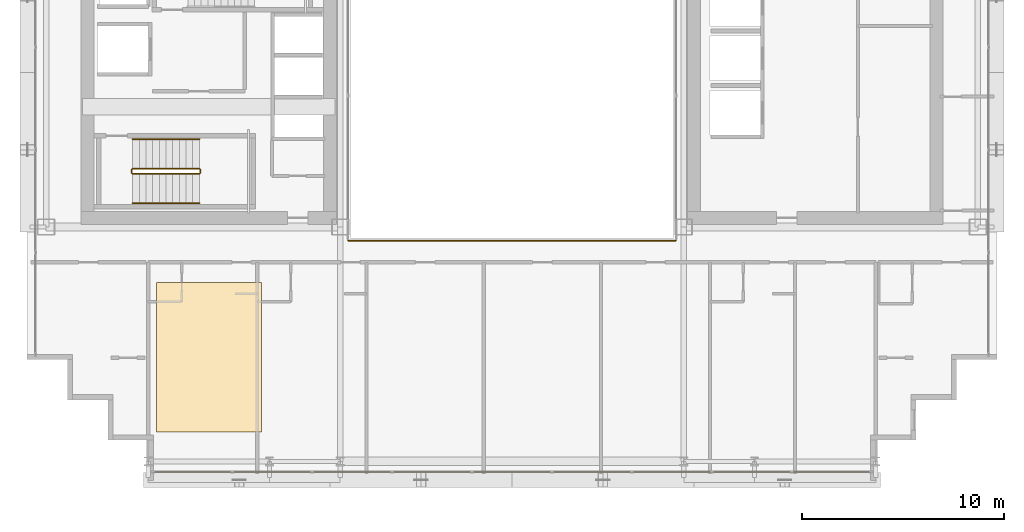
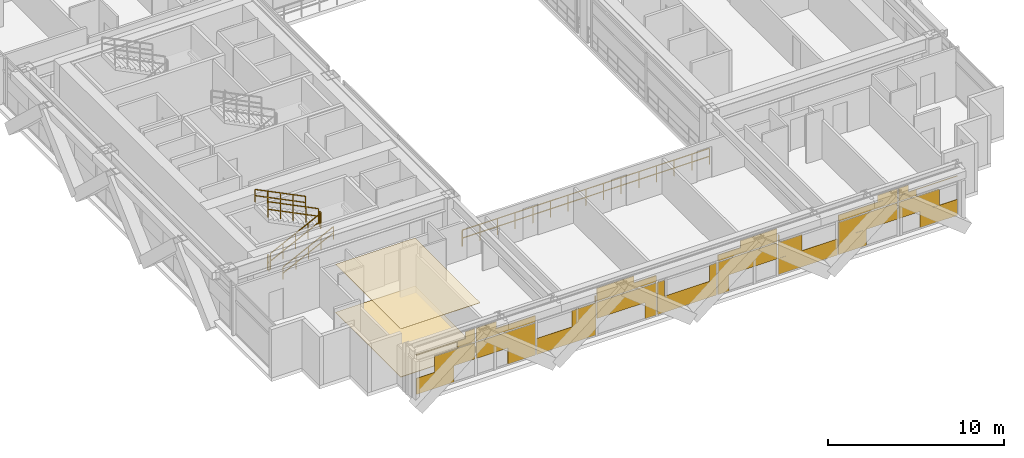
# One storey, part 36 of 39: 7 railings, 3 coverings.
"""IFC4 building model written with IfcOpenShell, lengths in metres."""

import ifcopenshell
import ifcopenshell.guid

model = None  # the IFC model being written
_history = None  # IfcOwnerHistory: only IFC2X3 demands one
_inside = {}  # id of a spatial element -> (the spatial element, [elements in it])
_under = {}  # id of a project, library or spatial element -> (it, [spatial elements below it])
_declared = {}  # id of a project -> (the project, [libraries it declares])
_typed = {}  # id of a type object -> (the type object, [elements of that type])
_made_of = {}  # id of a material, layer set ... -> (it, [elements and type objects made of it])


def new_model(schema):
    """Start an empty IFC model of exactly this schema.

    Asked for "IFC4X3", IfcOpenShell would pick the latest addendum, in which some entities
    have other attributes; the version numbers below select the first issue.
    IFC2X3 requires an IfcOwnerHistory on every rooted entity: one is made here for all.
    """
    global model, _history
    if schema == "IFC4X3":
        model = ifcopenshell.file(schema_version=(4, 3, 0, 0))
    else:
        model = ifcopenshell.file(schema=schema)
    _inside.clear()
    _under.clear()
    _declared.clear()
    _typed.clear()
    _made_of.clear()
    _history = None
    if model.schema == "IFC2X3":
        org = make("IfcOrganization", Name="unknown")
        user = make(
            "IfcPersonAndOrganization",
            ThePerson=make("IfcPerson", FamilyName="unknown"),
            TheOrganization=org,
        )
        app = make(
            "IfcApplication",
            ApplicationDeveloper=org,
            Version="unknown",
            ApplicationFullName="unknown",
            ApplicationIdentifier="unknown",
        )
        _history = make(
            "IfcOwnerHistory",
            OwningUser=user,
            OwningApplication=app,
            ChangeAction="ADDED",
            CreationDate=0,
        )
    return model


def make(cls, **values):
    """One entity of the class cls with the attributes given. An attribute that is None is left unset."""
    return model.create_entity(
        cls, **{name: value for name, value in values.items() if value is not None}
    )


def rooted(cls, **values):
    """An entity with a GlobalId (a new one), such as an element, a storey or a relation."""
    return make(cls, GlobalId=ifcopenshell.guid.new(), OwnerHistory=_history, **values)


def si_unit(unit_type, name, prefix=None):
    """IfcSIUnit, for example si_unit("LENGTHUNIT", "METRE", prefix="MILLI")."""
    return make("IfcSIUnit", UnitType=unit_type, Prefix=prefix, Name=name)


def assignment(units):
    """IfcUnitAssignment: the units of a project."""
    return None if units is None else make("IfcUnitAssignment", Units=units)


def point(xyz):
    """IfcCartesianPoint."""
    return None if xyz is None else make("IfcCartesianPoint", Coordinates=xyz)


def direction(xyz):
    """IfcDirection."""
    return None if xyz is None else make("IfcDirection", DirectionRatios=xyz)


def frame(location, z_axis=None, x_axis=None):
    """IfcAxis2Placement3D, a coordinate frame: its origin and axes. An axis left out is left unset."""
    return make(
        "IfcAxis2Placement3D",
        Location=point(location),
        Axis=direction(z_axis),
        RefDirection=direction(x_axis),
    )


def frame_2d(location, x_axis=None):
    """IfcAxis2Placement2D, a coordinate frame in the plane: its origin and x axis."""
    return make(
        "IfcAxis2Placement2D", Location=point(location), RefDirection=direction(x_axis)
    )


def origin():
    """The frame at (0, 0, 0) with its axes left unset."""
    return frame((0.0, 0.0, 0.0))


def origin_2d():
    """The frame at (0, 0) in the plane with its x axis left unset."""
    return frame_2d((0.0, 0.0))


def place(relative_to, where):
    """IfcLocalPlacement: puts the frame where relative to a parent placement (None: the world)."""
    return make(
        "IfcLocalPlacement", PlacementRelTo=relative_to, RelativePlacement=where
    )


def context(
    kind, dimensions, precision=None, world=None, true_north=None, identifier=None
):
    """IfcGeometricRepresentationContext, for example the 3D "Model" context."""
    return make(
        "IfcGeometricRepresentationContext",
        ContextIdentifier=identifier,
        ContextType=kind,
        CoordinateSpaceDimension=dimensions,
        Precision=precision,
        WorldCoordinateSystem=world,
        TrueNorth=true_north,
    )


def subcontext(parent, identifier, kind, view, scale=None):
    """IfcGeometricRepresentationSubContext, for example "Body" below "Model"."""
    return make(
        "IfcGeometricRepresentationSubContext",
        ContextIdentifier=identifier,
        ContextType=kind,
        ParentContext=parent,
        TargetScale=scale,
        TargetView=view,
    )


def project(units=None, contexts=None):
    """IfcProject with its units and contexts."""
    return rooted(
        "IfcProject",
        Name="project",
        RepresentationContexts=contexts,
        UnitsInContext=assignment(units),
    )


def spatial(cls, under=None, at=None, **own):
    """A site, building, storey or space (cls), placed at a placement, below another one or the project."""
    s = rooted(cls, ObjectPlacement=at, **own)
    if under is not None:
        _under.setdefault(under.id(), (under, []))[1].append(s)
    return s


def polyline(points):
    """IfcPolyline through the points."""
    return make("IfcPolyline", Points=[point(p) for p in points])


def profile(cls, at=None, kind="AREA", **sizes):
    """A parametric profile (cls). Its sizes go by their IFC names, for example OverallWidth=200.0."""
    return make(cls, ProfileType=kind, Position=at, **sizes)


def rectangle(**sizes):
    """IfcRectangleProfileDef."""
    return profile("IfcRectangleProfileDef", **sizes)


def outline(outer, holes=None, kind="AREA"):
    """IfcArbitraryClosedProfileDef: a profile drawn as a closed curve; with holes, ...WithVoids."""
    if holes is None:
        return make("IfcArbitraryClosedProfileDef", ProfileType=kind, OuterCurve=outer)
    return make(
        "IfcArbitraryProfileDefWithVoids",
        ProfileType=kind,
        OuterCurve=outer,
        InnerCurves=holes,
    )


def extrude(swept, where, along, depth):
    """IfcExtrudedAreaSolid: the profile swept, set in the frame where, extruded along a direction by depth."""
    return make(
        "IfcExtrudedAreaSolid",
        SweptArea=swept,
        Position=where,
        ExtrudedDirection=direction(along),
        Depth=depth,
    )


def shape(context_of_items, identifier, shape_type, items):
    """IfcShapeRepresentation: the items that make up one representation, for example the "Body"."""
    return make(
        "IfcShapeRepresentation",
        ContextOfItems=context_of_items,
        RepresentationIdentifier=identifier,
        RepresentationType=shape_type,
        Items=items,
    )


def material(Name=None, Category=None):
    """IfcMaterial."""
    return make("IfcMaterial", Name=Name, Category=Category)


def layer(
    of_material, thickness, ventilated=None, Name=None, Category=None, Priority=None
):
    """IfcMaterialLayer: one layer of a wall or slab, of a material (None: an air gap)."""
    return make(
        "IfcMaterialLayer",
        Material=of_material,
        LayerThickness=thickness,
        IsVentilated=ventilated,
        Name=Name,
        Category=Category,
        Priority=Priority,
    )


def layer_set(layers, Name=None):
    """IfcMaterialLayerSet."""
    return make("IfcMaterialLayerSet", MaterialLayers=layers, LayerSetName=Name)


def made_of(thing, what):
    """Note that an element or type object is made of a material, layer set ...; save() writes the relation."""
    if what is not None:
        _made_of.setdefault(what.id(), (what, []))[1].append(thing)
    return thing


def type_object(cls, material=None, **own):
    """A type object (cls), such as IfcWallType, which elements share."""
    return made_of(rooted(cls, **own), material)


def element(
    cls,
    number,
    at=None,
    inside=None,
    cuts=None,
    type_object=None,
    material=None,
    context=None,
    identifier="Body",
    shape_type=None,
    held_by="IfcProductDefinitionShape",
    body=None,
    shapes=None,
    **own,
):
    """One element of the class cls, such as IfcWall. Its Tag is "e" and its number.

    at: its placement. inside: the storey or other place that contains it. cuts: it is an
    opening in that element (IfcRelVoidsElement). A single representation is given by context,
    identifier, shape_type and body (its items); several are given by shapes. held_by: the class
    of the entity that holds the representations. save() writes the other relations.
    """
    e = rooted(cls, Tag="e%d" % number, ObjectPlacement=at, **own)
    if body is not None:
        shapes = [shape(context, identifier, shape_type, body)]
    if shapes is not None:
        e.Representation = make(held_by, Representations=shapes)
    if inside is not None:
        _inside.setdefault(inside.id(), (inside, []))[1].append(e)
    if cuts is not None:
        rooted(
            "IfcRelVoidsElement", RelatingBuildingElement=cuts, RelatedOpeningElement=e
        )
    if type_object is not None:
        _typed.setdefault(type_object.id(), (type_object, []))[1].append(e)
    return made_of(e, material)


def aggregate(whole, parts):
    """IfcRelAggregates: a whole, such as a stair, and the parts it consists of."""
    return rooted("IfcRelAggregates", RelatingObject=whole, RelatedObjects=parts)


def save(model, path):
    """Write the relations noted so far, then the file.

    IfcRelAggregates (storeys below a building ...), IfcRelContainedInSpatialStructure (elements
    in a storey), IfcRelDefinesByType, IfcRelAssociatesMaterial and IfcRelDeclares: one each for
    every whole, place, type object, material and project.
    """
    for whole, parts in _under.values():
        aggregate(whole, parts)
    for where, things in _inside.values():
        rooted(
            "IfcRelContainedInSpatialStructure",
            RelatedElements=things,
            RelatingStructure=where,
        )
    for kind, things in _typed.values():
        rooted("IfcRelDefinesByType", RelatedObjects=things, RelatingType=kind)
    for what, things in _made_of.values():
        rooted("IfcRelAssociatesMaterial", RelatedObjects=things, RelatingMaterial=what)
    for by, libraries in _declared.values():
        rooted("IfcRelDeclares", RelatingContext=by, RelatedDefinitions=libraries)
    model.write(path)


model = new_model("IFC4")

# Units and contexts
model_context = context("Model", 3, precision=1e-05, world=origin(), true_north=direction((0.0, 1.0)))
body_context = subcontext(model_context, "Body", "Model", "MODEL_VIEW")
ifc_project = project(units=[si_unit("LENGTHUNIT", "METRE"), si_unit("AREAUNIT", "SQUARE_METRE"), si_unit("VOLUMEUNIT", "CUBIC_METRE"), si_unit("PLANEANGLEUNIT", "RADIAN"), si_unit("MASSUNIT", "GRAM", prefix="KILO")], contexts=[model_context])

# Site, building, storey
site_placement = place(None, origin())
site = spatial("IfcSite", under=ifc_project, at=site_placement, CompositionType="ELEMENT")
building_placement = place(site_placement, origin())
building = spatial("IfcBuilding", under=site, at=building_placement, Name="Ocotamira Hotel", CompositionType="ELEMENT")
storey_placement = place(building_placement, frame((0.0, 0.0, 126.0)))
storey = spatial("IfcBuildingStorey", under=building, at=storey_placement, Name="L31", CompositionType="ELEMENT", Elevation=126.0)

# Coverings
ifc_material_1 = material(Name="Perforated acoustic gypsum ceiling board", Category="gypsum")
ifc_layer_1 = layer(ifc_material_1, 0.02490234375)
ifc_layer_set_1 = layer_set([ifc_layer_1], Name="Perforated acoustic gypsum ceiling board")
covering_type_1 = type_object("IfcCoveringType", Name="COV-CEIL-25", PredefinedType="CEILING", material=ifc_layer_set_1)
covering_1_placement = place(storey_placement, frame((0.0, 0.0, 3.3349609375)))
element("IfcCovering", 1, at=covering_1_placement, inside=storey, type_object=covering_type_1, Name="L31 Acoustic Ceiling", PredefinedType="CEILING", context=body_context, shape_type="SweptSolid", body=[
    extrude(outline(polyline([(14.39990234375, 4.39990234375), (19.60009765625, 4.39990234375), (19.60009765625, 11.800048828125), (14.39990234375, 11.800048828125), (14.39990234375, 4.39990234375)])), origin(), (0.0, 0.0, 1.0), 0.025146484375),
])
ifc_material_2 = material(Name="Honed desert travertine stone flooring", Category="masonry")
ifc_layer_2 = layer(ifc_material_2, 0.030029296875)
ifc_layer_set_2 = layer_set([ifc_layer_2], Name="Honed desert travertine stone flooring")
covering_type_2 = type_object("IfcCoveringType", Name="COV-FLOR-30", PredefinedType="FLOORING", material=ifc_layer_set_2)
covering_2_placement = place(storey_placement, origin())
element("IfcCovering", 2, at=covering_2_placement, inside=storey, type_object=covering_type_2, Name="L31 Honed Stone Floor Finish", PredefinedType="FLOORING", context=body_context, shape_type="SweptSolid", body=[
    extrude(outline(polyline([(14.39990234375, 4.39990234375), (19.60009765625, 4.39990234375), (19.60009765625, 11.800048828125), (14.39990234375, 11.800048828125), (14.39990234375, 4.39990234375)])), origin(), (0.0, 0.0, 1.0), 0.030029296875),
])
ifc_material_3 = material(Name="Insulated pale-metal aluminium spandrel panel", Category="aluminium")
ifc_layer_3 = layer(ifc_material_3, 0.044921875)
ifc_layer_set_3 = layer_set([ifc_layer_3], Name="Insulated pale-metal aluminium spandrel panel")
covering_type_3 = type_object("IfcCoveringType", Name="COV-INFILL-45", PredefinedType="CLADDING", material=ifc_layer_set_3)
covering_3_placement = place(storey_placement, origin())
element("IfcCovering", 3, at=covering_3_placement, inside=storey, type_object=covering_type_3, Name="L31 Curtain Wall Infill CW-3 CW-L31-S1", PredefinedType="CLADDING", context=body_context, shape_type="SweptSolid", body=[
    extrude(rectangle(XDim=2.464111328125, YDim=0.044921875, at=origin_2d()), frame((15.512451171875, 2.419921875, 0.07568359375), z_axis=(0.0, 0.0, 1.0), x_axis=(1.0, 0.0, 0.0)), (0.0, 0.0, 1.0), 1.11767578125),
    extrude(rectangle(XDim=2.650146484375, YDim=0.044921875, at=origin_2d()), frame((16.7900390625, 2.419921875, 1.1943359375), z_axis=(0.0, 0.0, 1.0), x_axis=(1.0, 0.0, 0.0)), (0.0, 0.0, 1.0), 1.117919921875),
    extrude(rectangle(XDim=3.834716796875, YDim=0.044921875, at=origin_2d()), frame((16.19775390625, 2.419921875, 2.782470703125), z_axis=(0.0, 0.0, 1.0), x_axis=(1.0, 0.0, 0.0)), (0.0, 0.0, 1.0), 0.0302734375),
    extrude(rectangle(XDim=1.157958984375, YDim=0.044921875, at=origin_2d()), frame((17.5361328125, 2.419921875, 2.387939453125), z_axis=(0.0, 0.0, 1.0), x_axis=(1.0, 0.0, 0.0)), (0.0, 0.0, 1.0), 0.3935546875),
    extrude(rectangle(XDim=0.625732421875, YDim=0.044921875, at=origin_2d()), frame((17.80224609375, 2.419921875, 2.813720703125), z_axis=(0.0, 0.0, 1.0), x_axis=(1.0, 0.0, 0.0)), (0.0, 0.0, 1.0), 0.470703125),
    extrude(rectangle(XDim=3.87451171875, YDim=0.044921875, at=origin_2d()), frame((20.13330078125, 2.419921875, 1.1943359375), z_axis=(0.0, 0.0, 1.0), x_axis=(1.0, 0.0, 0.0)), (0.0, 0.0, 1.0), 1.117919921875),
    extrude(rectangle(XDim=1.815185546875, YDim=0.044921875, at=origin_2d()), frame((21.1630859375, 2.419921875, 0.07568359375), z_axis=(0.0, 0.0, 1.0), x_axis=(1.0, 0.0, 0.0)), (0.0, 0.0, 1.0), 1.11767578125),
    extrude(rectangle(XDim=3.87451171875, YDim=0.044921875, at=origin_2d()), frame((20.13330078125, 2.419921875, 2.387939453125), z_axis=(0.0, 0.0, 1.0), x_axis=(1.0, 0.0, 0.0)), (0.0, 0.0, 1.0), 0.4248046875),
    extrude(rectangle(XDim=1.314697265625, YDim=0.044921875, at=origin_2d()), frame((18.853515625, 2.419921875, 2.813720703125), z_axis=(0.0, 0.0, 1.0), x_axis=(1.0, 0.0, 0.0)), (0.0, 0.0, 1.0), 0.470703125),
    extrude(rectangle(XDim=3.87451171875, YDim=0.044921875, at=origin_2d()), frame((24.0888671875, 2.419921875, 0.07568359375), z_axis=(0.0, 0.0, 1.0), x_axis=(1.0, 0.0, 0.0)), (0.0, 0.0, 1.0), 1.11767578125),
    extrude(rectangle(XDim=1.561279296875, YDim=0.044921875, at=origin_2d()), frame((25.24560546875, 2.419921875, 1.1943359375), z_axis=(0.0, 0.0, 1.0), x_axis=(1.0, 0.0, 0.0)), (0.0, 0.0, 1.0), 1.117919921875),
    extrude(rectangle(XDim=0.069091796875, YDim=0.044921875, at=origin_2d()), frame((25.99169921875, 2.419921875, 2.387939453125), z_axis=(0.0, 0.0, 1.0), x_axis=(1.0, 0.0, 0.0)), (0.0, 0.0, 1.0), 0.4248046875),
    extrude(rectangle(XDim=3.87451171875, YDim=0.044921875, at=origin_2d()), frame((28.04443359375, 2.419921875, 1.1943359375), z_axis=(0.0, 0.0, 1.0), x_axis=(1.0, 0.0, 0.0)), (0.0, 0.0, 1.0), 1.117919921875),
    extrude(rectangle(XDim=0.726318359375, YDim=0.044921875, at=origin_2d()), frame((29.61865234375, 2.419921875, 0.07568359375), z_axis=(0.0, 0.0, 1.0), x_axis=(1.0, 0.0, 0.0)), (0.0, 0.0, 1.0), 1.11767578125),
    extrude(rectangle(XDim=3.87451171875, YDim=0.044921875, at=origin_2d()), frame((28.04443359375, 2.419921875, 2.387939453125), z_axis=(0.0, 0.0, 1.0), x_axis=(1.0, 0.0, 0.0)), (0.0, 0.0, 1.0), 0.4248046875),
    extrude(rectangle(XDim=2.403564453125, YDim=0.044921875, at=origin_2d()), frame((27.308837890625, 2.419921875, 2.813720703125), z_axis=(0.0, 0.0, 1.0), x_axis=(1.0, 0.0, 0.0)), (0.0, 0.0, 1.0), 0.470703125),
    extrude(rectangle(XDim=3.87451171875, YDim=0.044921875, at=origin_2d()), frame((32.0, 2.419921875, 0.07568359375), z_axis=(0.0, 0.0, 1.0), x_axis=(1.0, 0.0, 0.0)), (0.0, 0.0, 1.0), 1.11767578125),
    extrude(rectangle(XDim=0.472412109375, YDim=0.044921875, at=origin_2d()), frame((30.298828125, 2.419921875, 1.1943359375), z_axis=(0.0, 0.0, 1.0), x_axis=(1.0, 0.0, 0.0)), (0.0, 0.0, 1.0), 1.117919921875),
    extrude(rectangle(XDim=0.472412109375, YDim=0.044921875, at=origin_2d()), frame((33.701171875, 2.419921875, 1.1943359375), z_axis=(0.0, 0.0, 1.0), x_axis=(1.0, 0.0, 0.0)), (0.0, 0.0, 1.0), 1.117919921875),
    extrude(rectangle(XDim=0.726318359375, YDim=0.044921875, at=origin_2d()), frame((34.38134765625, 2.419921875, 0.07568359375), z_axis=(0.0, 0.0, 1.0), x_axis=(1.0, 0.0, 0.0)), (0.0, 0.0, 1.0), 1.11767578125),
    extrude(rectangle(XDim=3.87451171875, YDim=0.044921875, at=origin_2d()), frame((35.95556640625, 2.419921875, 1.1943359375), z_axis=(0.0, 0.0, 1.0), x_axis=(1.0, 0.0, 0.0)), (0.0, 0.0, 1.0), 1.117919921875),
    extrude(rectangle(XDim=3.87451171875, YDim=0.044921875, at=origin_2d()), frame((35.95556640625, 2.419921875, 2.387939453125), z_axis=(0.0, 0.0, 1.0), x_axis=(1.0, 0.0, 0.0)), (0.0, 0.0, 1.0), 0.4248046875),
    extrude(rectangle(XDim=2.403564453125, YDim=0.044921875, at=origin_2d()), frame((36.691162109375, 2.419921875, 2.813720703125), z_axis=(0.0, 0.0, 1.0), x_axis=(1.0, 0.0, 0.0)), (0.0, 0.0, 1.0), 0.470703125),
    extrude(rectangle(XDim=3.87451171875, YDim=0.044921875, at=origin_2d()), frame((39.9111328125, 2.419921875, 0.07568359375), z_axis=(0.0, 0.0, 1.0), x_axis=(1.0, 0.0, 0.0)), (0.0, 0.0, 1.0), 1.11767578125),
    extrude(rectangle(XDim=1.561279296875, YDim=0.044921875, at=origin_2d()), frame((38.75439453125, 2.419921875, 1.1943359375), z_axis=(0.0, 0.0, 1.0), x_axis=(1.0, 0.0, 0.0)), (0.0, 0.0, 1.0), 1.117919921875),
    extrude(rectangle(XDim=0.069091796875, YDim=0.044921875, at=origin_2d()), frame((38.00830078125, 2.419921875, 2.387939453125), z_axis=(0.0, 0.0, 1.0), x_axis=(1.0, 0.0, 0.0)), (0.0, 0.0, 1.0), 0.4248046875),
    extrude(rectangle(XDim=1.815185546875, YDim=0.044921875, at=origin_2d()), frame((42.8369140625, 2.419921875, 0.07568359375), z_axis=(0.0, 0.0, 1.0), x_axis=(1.0, 0.0, 0.0)), (0.0, 0.0, 1.0), 1.11767578125),
    extrude(rectangle(XDim=3.87451171875, YDim=0.044921875, at=origin_2d()), frame((43.86669921875, 2.419921875, 1.1943359375), z_axis=(0.0, 0.0, 1.0), x_axis=(1.0, 0.0, 0.0)), (0.0, 0.0, 1.0), 1.117919921875),
    extrude(rectangle(XDim=3.87451171875, YDim=0.044921875, at=origin_2d()), frame((43.86669921875, 2.419921875, 2.387939453125), z_axis=(0.0, 0.0, 1.0), x_axis=(1.0, 0.0, 0.0)), (0.0, 0.0, 1.0), 0.4248046875),
    extrude(rectangle(XDim=1.314697265625, YDim=0.044921875, at=origin_2d()), frame((45.146484375, 2.419921875, 2.813720703125), z_axis=(0.0, 0.0, 1.0), x_axis=(1.0, 0.0, 0.0)), (0.0, 0.0, 1.0), 0.470703125),
    extrude(rectangle(XDim=2.650146484375, YDim=0.044921875, at=origin_2d()), frame((47.2099609375, 2.419921875, 1.1943359375), z_axis=(0.0, 0.0, 1.0), x_axis=(1.0, 0.0, 0.0)), (0.0, 0.0, 1.0), 1.117919921875),
    extrude(rectangle(XDim=2.464111328125, YDim=0.044921875, at=origin_2d()), frame((48.487548828125, 2.419921875, 0.07568359375), z_axis=(0.0, 0.0, 1.0), x_axis=(1.0, 0.0, 0.0)), (0.0, 0.0, 1.0), 1.11767578125),
    extrude(rectangle(XDim=1.157958984375, YDim=0.044921875, at=origin_2d()), frame((46.4638671875, 2.419921875, 2.387939453125), z_axis=(0.0, 0.0, 1.0), x_axis=(1.0, 0.0, 0.0)), (0.0, 0.0, 1.0), 0.3935546875),
    extrude(rectangle(XDim=3.834716796875, YDim=0.044921875, at=origin_2d()), frame((47.80224609375, 2.419921875, 2.782470703125), z_axis=(0.0, 0.0, 1.0), x_axis=(1.0, 0.0, 0.0)), (0.0, 0.0, 1.0), 0.0302734375),
    extrude(rectangle(XDim=0.625732421875, YDim=0.044921875, at=origin_2d()), frame((46.19775390625, 2.419921875, 2.813720703125), z_axis=(0.0, 0.0, 1.0), x_axis=(1.0, 0.0, 0.0)), (0.0, 0.0, 1.0), 0.470703125),
])

# Railings
ifc_material_4 = material(Name="Painted steel stair guardrail", Category="steel")
railing_type_1 = type_object("IfcRailingType", Name="RL-EDGE-1150", PredefinedType="GUARDRAIL", material=ifc_material_4)
railing_1_placement = place(storey_placement, frame((23.89990234375, 13.8798828125, 0.0)))
element("IfcRailing", 4, at=railing_1_placement, inside=storey, type_object=railing_type_1, Name="L31 Central Atrium Edge Guardrail S", PredefinedType="GUARDRAIL", context=body_context, shape_type="SweptSolid", body=[
    extrude(rectangle(XDim=0.048095703125, YDim=0.048095703125, at=origin_2d()), frame((0.0, 0.0, 1.1259765625), z_axis=(1.0, 0.0, 0.0), x_axis=(0.0, 1.0, 0.0)), (0.0, 0.0, 1.0), 16.2001953125),
    extrude(rectangle(XDim=0.048095703125, YDim=0.048095703125, at=origin_2d()), frame((0.0, 0.0, 0.574951171875), z_axis=(1.0, 0.0, 0.0), x_axis=(0.0, 1.0, 0.0)), (0.0, 0.0, 1.0), 16.2001953125),
    extrude(rectangle(XDim=0.0419921875, YDim=0.0419921875, at=origin_2d()), origin(), (0.0, 0.0, 1.0), 1.101806640625),
    extrude(rectangle(XDim=0.0419921875, YDim=0.0419921875, at=origin_2d()), frame((1.1572265625, 0.0, 0.0)), (0.0, 0.0, 1.0), 1.101806640625),
    extrude(rectangle(XDim=0.0419921875, YDim=0.0419921875, at=origin_2d()), frame((2.314208984375, 0.0, 0.0)), (0.0, 0.0, 1.0), 1.101806640625),
    extrude(rectangle(XDim=0.0419921875, YDim=0.0419921875, at=origin_2d()), frame((3.471435546875, 0.0, 0.0)), (0.0, 0.0, 1.0), 1.101806640625),
    extrude(rectangle(XDim=0.0419921875, YDim=0.0419921875, at=origin_2d()), frame((4.628662109375, 0.0, 0.0)), (0.0, 0.0, 1.0), 1.101806640625),
    extrude(rectangle(XDim=0.0419921875, YDim=0.0419921875, at=origin_2d()), frame((5.785888671875, 0.0, 0.0)), (0.0, 0.0, 1.0), 1.101806640625),
    extrude(rectangle(XDim=0.0419921875, YDim=0.0419921875, at=origin_2d()), frame((6.94287109375, 0.0, 0.0)), (0.0, 0.0, 1.0), 1.101806640625),
    extrude(rectangle(XDim=0.0419921875, YDim=0.0419921875, at=origin_2d()), frame((8.10009765625, 0.0, 0.0)), (0.0, 0.0, 1.0), 1.101806640625),
    extrude(rectangle(XDim=0.0419921875, YDim=0.0419921875, at=origin_2d()), frame((9.25732421875, 0.0, 0.0)), (0.0, 0.0, 1.0), 1.101806640625),
    extrude(rectangle(XDim=0.0419921875, YDim=0.0419921875, at=origin_2d()), frame((10.414306640625, 0.0, 0.0)), (0.0, 0.0, 1.0), 1.101806640625),
    extrude(rectangle(XDim=0.0419921875, YDim=0.0419921875, at=origin_2d()), frame((11.571533203125, 0.0, 0.0)), (0.0, 0.0, 1.0), 1.101806640625),
    extrude(rectangle(XDim=0.0419921875, YDim=0.0419921875, at=origin_2d()), frame((12.728759765625, 0.0, 0.0)), (0.0, 0.0, 1.0), 1.101806640625),
    extrude(rectangle(XDim=0.0419921875, YDim=0.0419921875, at=origin_2d()), frame((13.885986328125, 0.0, 0.0)), (0.0, 0.0, 1.0), 1.101806640625),
    extrude(rectangle(XDim=0.0419921875, YDim=0.0419921875, at=origin_2d()), frame((15.04296875, 0.0, 0.0)), (0.0, 0.0, 1.0), 1.101806640625),
    extrude(rectangle(XDim=0.0419921875, YDim=0.0419921875, at=origin_2d()), frame((16.2001953125, 0.0, 0.0)), (0.0, 0.0, 1.0), 1.101806640625),
])
ifc_material_5 = material(Name="Brushed stainless steel handrail", Category="steel")
railing_type_2 = type_object("IfcRailingType", Name="RL-HAND-900", PredefinedType="HANDRAIL", material=ifc_material_5)
railing_2_placement = place(storey_placement, frame((13.22998046875, 15.719970703125, 0.327392578125)))
element("IfcRailing", 5, at=railing_2_placement, inside=storey, type_object=railing_type_2, Name="L31 ST-1 stair handrail 1", PredefinedType="HANDRAIL", context=body_context, shape_type="SweptSolid", body=[
    extrude(rectangle(XDim=0.048095703125, YDim=0.048095703125, at=origin_2d()), frame((0.0, 0.0, 0.8759765625), z_axis=(0.895920123917, 0.0, 0.444215186098), x_axis=(0.0, 1.0, 0.0)), (0.0, 0.0, 1.0), 3.683349609375),
    extrude(rectangle(XDim=0.048095703125, YDim=0.048095703125, at=origin_2d()), frame((0.0, 0.0, 0.449951171875), z_axis=(0.895920123917, 0.0, 0.444215186098), x_axis=(0.0, 1.0, 0.0)), (0.0, 0.0, 1.0), 3.683349609375),
    extrude(rectangle(XDim=0.0419921875, YDim=0.0419921875, at=origin_2d()), origin(), (0.0, 0.0, 1.0), 0.851806640625),
    extrude(rectangle(XDim=0.0419921875, YDim=0.0419921875, at=origin_2d()), frame((0.824951171875, 0.0, 0.4091796875)), (0.0, 0.0, 1.0), 0.851806640625),
    extrude(rectangle(XDim=0.0419921875, YDim=0.0419921875, at=origin_2d()), frame((1.64990234375, 0.0, 0.818115234375)), (0.0, 0.0, 1.0), 0.851806640625),
    extrude(rectangle(XDim=0.0419921875, YDim=0.0419921875, at=origin_2d()), frame((2.47509765625, 0.0, 1.22705078125)), (0.0, 0.0, 1.0), 0.851806640625),
    extrude(rectangle(XDim=0.0419921875, YDim=0.0419921875, at=origin_2d()), frame((3.300048828125, 0.0, 1.63623046875)), (0.0, 0.0, 1.0), 0.851806640625),
])
railing_3_placement = place(storey_placement, frame((16.530029296875, 18.89990234375, 2.127197265625)))
element("IfcRailing", 6, at=railing_3_placement, inside=storey, type_object=railing_type_2, Name="L31 ST-1 stair handrail 2", PredefinedType="HANDRAIL", context=body_context, shape_type="SweptSolid", body=[
    extrude(rectangle(XDim=0.048095703125, YDim=0.048095703125, at=origin_2d()), frame((0.0, 0.0, 0.8759765625), z_axis=(-0.895893744519, 0.0, 0.4442683857), x_axis=(0.0, -1.0, 0.0)), (0.0, 0.0, 1.0), 3.68359375),
    extrude(rectangle(XDim=0.048095703125, YDim=0.048095703125, at=origin_2d()), frame((0.0, 0.0, 0.449951171875), z_axis=(-0.895893744519, 0.0, 0.4442683857), x_axis=(0.0, -1.0, 0.0)), (0.0, 0.0, 1.0), 3.68359375),
    extrude(rectangle(XDim=0.0419921875, YDim=0.0419921875, at=origin_2d()), origin(), (0.0, 0.0, 1.0), 0.851806640625),
    extrude(rectangle(XDim=0.0419921875, YDim=0.0419921875, at=origin_2d()), frame((-0.824951171875, 0.0, 0.4091796875)), (0.0, 0.0, 1.0), 0.851806640625),
    extrude(rectangle(XDim=0.0419921875, YDim=0.0419921875, at=origin_2d()), frame((-1.64990234375, 0.0, 0.818359375)), (0.0, 0.0, 1.0), 0.851806640625),
    extrude(rectangle(XDim=0.0419921875, YDim=0.0419921875, at=origin_2d()), frame((-2.47509765625, 0.0, 1.227294921875)), (0.0, 0.0, 1.0), 0.851806640625),
    extrude(rectangle(XDim=0.0419921875, YDim=0.0419921875, at=origin_2d()), frame((-3.300048828125, 0.0, 1.636474609375)), (0.0, 0.0, 1.0), 0.851806640625),
])
railing_type_3 = type_object("IfcRailingType", Name="RL-STAIR-1100", PredefinedType="GUARDRAIL", material=ifc_material_4)
railing_4_placement = place(storey_placement, frame((13.22998046875, 17.179931640625, 0.16357421875)))
element("IfcRailing", 7, at=railing_4_placement, inside=storey, type_object=railing_type_3, Name="L31 ST-1 stair guard 1", PredefinedType="GUARDRAIL", context=body_context, shape_type="SweptSolid", body=[
    extrude(rectangle(XDim=0.048095703125, YDim=0.048095703125, at=origin_2d()), frame((0.0, 0.0, 1.076171875), z_axis=(0.895893744519, 0.0, 0.4442683857), x_axis=(0.0, 1.0, 0.0)), (0.0, 0.0, 1.0), 3.68359375),
    extrude(rectangle(XDim=0.048095703125, YDim=0.048095703125, at=origin_2d()), frame((0.0, 0.0, 0.550048828125), z_axis=(0.895893744519, 0.0, 0.4442683857), x_axis=(0.0, 1.0, 0.0)), (0.0, 0.0, 1.0), 3.68359375),
    extrude(rectangle(XDim=0.0419921875, YDim=0.0419921875, at=origin_2d()), origin(), (0.0, 0.0, 1.0), 1.052001953125),
    extrude(rectangle(XDim=0.0419921875, YDim=0.0419921875, at=origin_2d()), frame((0.824951171875, 0.0, 0.4091796875)), (0.0, 0.0, 1.0), 1.052001953125),
    extrude(rectangle(XDim=0.0419921875, YDim=0.0419921875, at=origin_2d()), frame((1.64990234375, 0.0, 0.818359375)), (0.0, 0.0, 1.0), 1.052001953125),
    extrude(rectangle(XDim=0.0419921875, YDim=0.0419921875, at=origin_2d()), frame((2.47509765625, 0.0, 1.227294921875)), (0.0, 0.0, 1.0), 1.052001953125),
    extrude(rectangle(XDim=0.0419921875, YDim=0.0419921875, at=origin_2d()), frame((3.300048828125, 0.0, 1.636474609375)), (0.0, 0.0, 1.0), 1.052001953125),
])
railing_5_placement = place(storey_placement, frame((16.580078125, 17.22998046875, 1.800048828125)))
element("IfcRailing", 8, at=railing_5_placement, inside=storey, type_object=railing_type_3, Name="L31 ST-1 stair guard 2", PredefinedType="GUARDRAIL", context=body_context, shape_type="SweptSolid", body=[
    extrude(rectangle(XDim=0.048095703125, YDim=0.048095703125, at=origin_2d()), frame((0.0, 0.0, 1.076171875), z_axis=(0.0, 1.0, 0.0), x_axis=(-1.0, 0.0, 0.0)), (0.0, 0.0, 1.0), 0.159912109375),
    extrude(rectangle(XDim=0.048095703125, YDim=0.048095703125, at=origin_2d()), frame((0.0, 0.0, 0.550048828125), z_axis=(0.0, 1.0, 0.0), x_axis=(-1.0, 0.0, 0.0)), (0.0, 0.0, 1.0), 0.159912109375),
    extrude(rectangle(XDim=0.0419921875, YDim=0.0419921875, at=origin_2d()), origin(), (0.0, 0.0, 1.0), 1.052001953125),
    extrude(rectangle(XDim=0.0419921875, YDim=0.0419921875, at=origin_2d()), frame((0.0, 0.159912109375, 0.0)), (0.0, 0.0, 1.0), 1.052001953125),
])
railing_6_placement = place(storey_placement, frame((16.530029296875, 17.43994140625, 1.963623046875)))
element("IfcRailing", 9, at=railing_6_placement, inside=storey, type_object=railing_type_3, Name="L31 ST-1 stair guard 3", PredefinedType="GUARDRAIL", context=body_context, shape_type="SweptSolid", body=[
    extrude(rectangle(XDim=0.048095703125, YDim=0.048095703125, at=origin_2d()), frame((0.0, 0.0, 1.076171875), z_axis=(-0.895893744519, 0.0, 0.4442683857), x_axis=(0.0, -1.0, 0.0)), (0.0, 0.0, 1.0), 3.68359375),
    extrude(rectangle(XDim=0.048095703125, YDim=0.048095703125, at=origin_2d()), frame((0.0, 0.0, 0.550048828125), z_axis=(-0.895893744519, 0.0, 0.4442683857), x_axis=(0.0, -1.0, 0.0)), (0.0, 0.0, 1.0), 3.68359375),
    extrude(rectangle(XDim=0.0419921875, YDim=0.0419921875, at=origin_2d()), origin(), (0.0, 0.0, 1.0), 1.052001953125),
    extrude(rectangle(XDim=0.0419921875, YDim=0.0419921875, at=origin_2d()), frame((-0.824951171875, 0.0, 0.4091796875)), (0.0, 0.0, 1.0), 1.052001953125),
    extrude(rectangle(XDim=0.0419921875, YDim=0.0419921875, at=origin_2d()), frame((-1.64990234375, 0.0, 0.818359375)), (0.0, 0.0, 1.0), 1.052001953125),
    extrude(rectangle(XDim=0.0419921875, YDim=0.0419921875, at=origin_2d()), frame((-2.47509765625, 0.0, 1.227294921875)), (0.0, 0.0, 1.0), 1.052001953125),
    extrude(rectangle(XDim=0.0419921875, YDim=0.0419921875, at=origin_2d()), frame((-3.300048828125, 0.0, 1.636474609375)), (0.0, 0.0, 1.0), 1.052001953125),
])
railing_7_placement = place(storey_placement, frame((13.179931640625, 17.22998046875, 0.0)))
element("IfcRailing", 10, at=railing_7_placement, inside=storey, type_object=railing_type_3, Name="L31 ST-1 stair guard 4", PredefinedType="GUARDRAIL", context=body_context, shape_type="SweptSolid", body=[
    extrude(rectangle(XDim=0.048095703125, YDim=0.048095703125, at=origin_2d()), frame((0.0, 0.0, 1.076171875), z_axis=(0.0, 1.0, 0.0), x_axis=(-1.0, 0.0, 0.0)), (0.0, 0.0, 1.0), 0.159912109375),
    extrude(rectangle(XDim=0.048095703125, YDim=0.048095703125, at=origin_2d()), frame((0.0, 0.0, 0.550048828125), z_axis=(0.0, 1.0, 0.0), x_axis=(-1.0, 0.0, 0.0)), (0.0, 0.0, 1.0), 0.159912109375),
    extrude(rectangle(XDim=0.0419921875, YDim=0.0419921875, at=origin_2d()), origin(), (0.0, 0.0, 1.0), 1.052001953125),
    extrude(rectangle(XDim=0.0419921875, YDim=0.0419921875, at=origin_2d()), frame((0.0, 0.159912109375, 0.0)), (0.0, 0.0, 1.0), 1.052001953125),
])

save(model, "model.ifc")
